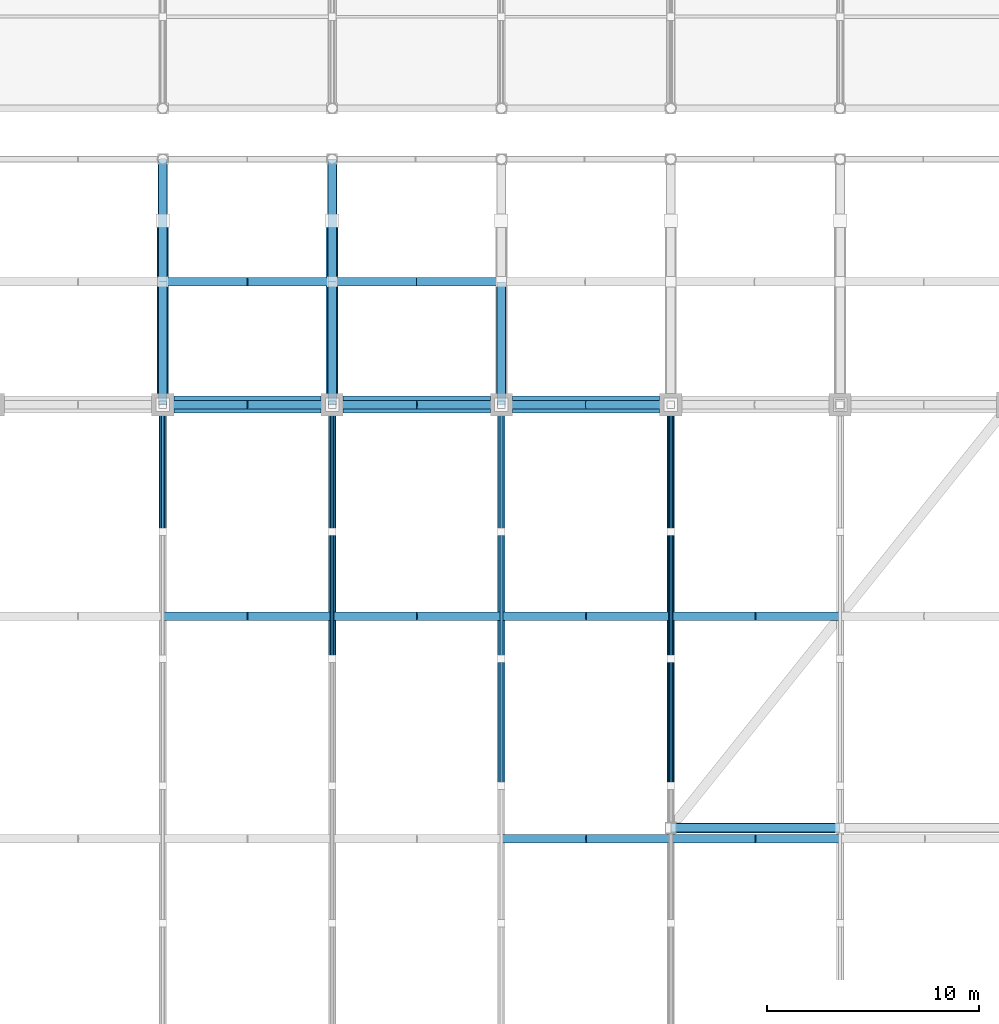
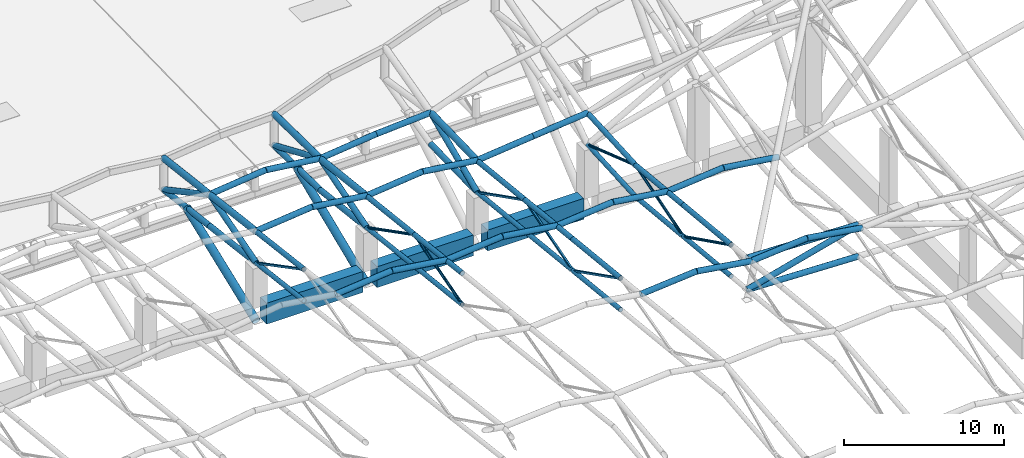
# One storey, part 16 of 75: 69 members, 3 beams.
"""IFC4 building model written with IfcOpenShell, lengths in metres."""

from ifc_helpers import new_model, si_unit, direction, frame, origin, origin_2d, place, context, subcontext, project, spatial, rectangle, hollow_rectangle, hollow_circle, extrude, material, material_profile, profile_set, type_object, element, save


model = new_model("IFC4")

# Units and contexts
model_context = context("Model", 3, precision=1e-05, world=origin(), true_north=direction((0.0, 1.0)))
body_context = subcontext(model_context, "Body", "Model", "MODEL_VIEW")
ifc_project = project(units=[si_unit("LENGTHUNIT", "METRE"), si_unit("AREAUNIT", "SQUARE_METRE"), si_unit("VOLUMEUNIT", "CUBIC_METRE"), si_unit("PLANEANGLEUNIT", "RADIAN"), si_unit("MASSUNIT", "GRAM", prefix="KILO")], contexts=[model_context])

# Site, building, storey
site_placement = place(None, origin())
site = spatial("IfcSite", under=ifc_project, at=site_placement, CompositionType="ELEMENT")
building_placement = place(site_placement, origin())
building = spatial("IfcBuilding", under=site, at=building_placement, Name="Khorjan Park Terminus", CompositionType="ELEMENT")
storey_placement = place(building_placement, frame((0.0, 0.0, 16.2)))
storey = spatial("IfcBuildingStorey", under=building, at=storey_placement, Name="L03", CompositionType="ELEMENT", Elevation=16.2)

# Members
ifc_material_1 = material(Name="Steel S355", Category="steel")
ifc_material_profile_1 = material_profile(ifc_material_1, hollow_circle(Radius=0.0969, WallThickness=0.01, at=origin_2d()), Name="CHS 193.7x10")
ifc_profile_set_1 = profile_set([ifc_material_profile_1], Name="Steel S355")
member_type_1 = type_object("IfcMemberType", Name="MB-BR-194", PredefinedType="BRACE", material=ifc_profile_set_1)
member_1_placement = place(storey_placement, frame((104.0, 76.0, 4.3212), z_axis=(0.0, 0.961569896016, 0.274560257642), x_axis=(-1.0, 0.0, 0.0)))
element("IfcMember", 1, at=member_1_placement, inside=storey, type_object=member_type_1, Name="Upper shell fold space-truss web diagonal (8)", PredefinedType="BRACE", context=body_context, shape_type="SweptSolid", body=[
    extrude(hollow_circle(Radius=0.0969, WallThickness=0.01, at=origin_2d()), origin(), (0.0, 0.0, 1.0), 6.2398),
])
member_2_placement = place(storey_placement, frame((104.0, 82.0, 6.0344), z_axis=(0.0, 0.889228378973, -0.457463539563), x_axis=(-1.0, 0.0, 0.0)))
element("IfcMember", 2, at=member_2_placement, inside=storey, type_object=member_type_1, Name="Upper shell fold space-truss web diagonal (8)", PredefinedType="BRACE", context=body_context, shape_type="SweptSolid", body=[
    extrude(hollow_circle(Radius=0.0969, WallThickness=0.01, at=origin_2d()), origin(), (0.0, 0.0, 1.0), 6.7474),
])
member_3_placement = place(storey_placement, frame((120.0, 70.0, 6.9224), z_axis=(0.0, 0.895124297915, -0.445816656577), x_axis=(-1.0, 0.0, 0.0)))
element("IfcMember", 3, at=member_3_placement, inside=storey, type_object=member_type_1, Name="Upper shell fold space-truss web diagonal (10)", PredefinedType="BRACE", context=body_context, shape_type="SweptSolid", body=[
    extrude(hollow_circle(Radius=0.0969, WallThickness=0.01, at=origin_2d()), origin(), (0.0, 0.0, 1.0), 6.703),
])
member_4_placement = place(storey_placement, frame((120.0, 76.0, 3.9341), z_axis=(0.0, 0.957315382984, 0.289045424636), x_axis=(-1.0, 0.0, 0.0)))
element("IfcMember", 4, at=member_4_placement, inside=storey, type_object=member_type_1, Name="Upper shell fold space-truss web diagonal (10)", PredefinedType="BRACE", context=body_context, shape_type="SweptSolid", body=[
    extrude(hollow_circle(Radius=0.0969, WallThickness=0.01, at=origin_2d()), origin(), (0.0, 0.0, 1.0), 6.2675),
])
member_5_placement = place(storey_placement, frame((120.0, 82.0, 5.7457), z_axis=(0.0, 0.946295848033, -0.32330197648), x_axis=(-1.0, 0.0, 0.0)))
element("IfcMember", 5, at=member_5_placement, inside=storey, type_object=member_type_1, Name="Upper shell fold space-truss web diagonal (10)", PredefinedType="BRACE", context=body_context, shape_type="SweptSolid", body=[
    extrude(hollow_circle(Radius=0.0969, WallThickness=0.01, at=origin_2d()), origin(), (0.0, 0.0, 1.0), 6.3405),
])
ifc_material_profile_2 = material_profile(ifc_material_1, hollow_rectangle(XDim=0.15, YDim=0.15, WallThickness=0.01, InnerFilletRadius=0.01, OuterFilletRadius=0.02, at=origin_2d()), Name="SHS 150x150x10")
ifc_profile_set_2 = profile_set([ifc_material_profile_2], Name="Steel S355")
member_type_2 = type_object("IfcMemberType", Name="MB-BR-SHS150", PredefinedType="BRACE", material=ifc_profile_set_2)
member_6_placement = place(storey_placement, frame((96.0, 82.0, 6.1788), z_axis=(0.0, 0.88625355796, -0.463200422068), x_axis=(-1.0, 0.0, 0.0)))
element("IfcMember", 6, at=member_6_placement, inside=storey, type_object=member_type_2, Name="Upper shell fold space-truss web diagonal (7)", PredefinedType="BRACE", context=body_context, shape_type="SweptSolid", body=[
    extrude(hollow_rectangle(XDim=0.15, YDim=0.15, WallThickness=0.01, InnerFilletRadius=0.01, OuterFilletRadius=0.02, at=origin_2d()), origin(), (0.0, 0.0, 1.0), 6.7701),
])
member_7_placement = place(storey_placement, frame((112.0, 70.0, 7.1652), z_axis=(0.0, 0.892179610411, -0.451680797431), x_axis=(-1.0, 0.0, 0.0)))
element("IfcMember", 7, at=member_7_placement, inside=storey, type_object=member_type_2, Name="Upper shell fold space-truss web diagonal (9)", PredefinedType="BRACE", context=body_context, shape_type="SweptSolid", body=[
    extrude(hollow_rectangle(XDim=0.15, YDim=0.15, WallThickness=0.01, InnerFilletRadius=0.01, OuterFilletRadius=0.02, at=origin_2d()), origin(), (0.0, 0.0, 1.0), 6.7251),
])
member_8_placement = place(storey_placement, frame((112.0, 76.0, 4.1276), z_axis=(0.0, 0.95946093439, 0.281841649477), x_axis=(-1.0, 0.0, 0.0)))
element("IfcMember", 8, at=member_8_placement, inside=storey, type_object=member_type_2, Name="Upper shell fold space-truss web diagonal (9)", PredefinedType="BRACE", context=body_context, shape_type="SweptSolid", body=[
    extrude(hollow_rectangle(XDim=0.15, YDim=0.15, WallThickness=0.01, InnerFilletRadius=0.01, OuterFilletRadius=0.02, at=origin_2d()), origin(), (0.0, 0.0, 1.0), 6.2535),
])
member_9_placement = place(storey_placement, frame((112.0, 82.0, 5.8901), z_axis=(0.0, 0.892185602554, -0.451668961293), x_axis=(-1.0, 0.0, 0.0)))
element("IfcMember", 9, at=member_9_placement, inside=storey, type_object=member_type_2, Name="Upper shell fold space-truss web diagonal (9)", PredefinedType="BRACE", context=body_context, shape_type="SweptSolid", body=[
    extrude(hollow_rectangle(XDim=0.15, YDim=0.15, WallThickness=0.01, InnerFilletRadius=0.01, OuterFilletRadius=0.02, at=origin_2d()), origin(), (0.0, 0.0, 1.0), 6.7251),
])
ifc_material_profile_3 = material_profile(ifc_material_1, hollow_circle(Radius=0.162, WallThickness=0.0125, at=origin_2d()), Name="CHS 323.9x12.5")
ifc_profile_set_3 = profile_set([ifc_material_profile_3], Name="Steel S355")
member_type_3 = type_object("IfcMemberType", Name="MB-CH-324", PredefinedType="CHORD", material=ifc_profile_set_3)
member_10_placement = place(storey_placement, frame((96.0, 82.0, 3.7788), z_axis=(0.0, 0.992562298474, -0.121737765908), x_axis=(-1.0, 0.0, 0.0)))
element("IfcMember", 10, at=member_10_placement, inside=storey, type_object=member_type_3, Name="Upper shell fold space-truss bottom chord (7)", PredefinedType="CHORD", context=body_context, shape_type="SweptSolid", body=[
    extrude(hollow_circle(Radius=0.162, WallThickness=0.0125, at=origin_2d()), origin(), (0.0, 0.0, 1.0), 6.045),
])
for number, where, z_axis, x_axis, name in (
    (11, (104.0, 76.0, 4.3212), (0.0, 0.993512375599, -0.113724049927), (-1.0, 0.0, 0.0), "Upper shell fold space-truss bottom chord (8)"),
    (12, (104.0, 82.0, 3.6344), (0.0, 0.993514246355, -0.113707705495), (-1.0, 0.0, 0.0), "Upper shell fold space-truss bottom chord (8)"),
):
    element("IfcMember", number, at=place(storey_placement, frame(where, z_axis=z_axis, x_axis=x_axis)), inside=storey, type_object=member_type_3, Name=name, PredefinedType="CHORD", context=body_context, shape_type="SweptSolid", body=[
        extrude(hollow_circle(Radius=0.162, WallThickness=0.0125, at=origin_2d()), origin(), (0.0, 0.0, 1.0), 6.0392),
    ])
for number, where, z_axis, x_axis, name in (
    (13, (112.0, 70.0, 4.7652), (0.0, 0.994401073252, -0.105671687384), (-1.0, 0.0, 0.0), "Upper shell fold space-truss bottom chord (9)"),
    (14, (112.0, 76.0, 4.1276), (0.0, 0.994402814649, -0.105655299056), (-1.0, 0.0, 0.0), "Upper shell fold space-truss bottom chord (9)"),
    (15, (112.0, 82.0, 3.4901), (0.0, 0.994402814649, -0.105655299056), (-1.0, 0.0, 0.0), "Upper shell fold space-truss bottom chord (9)"),
):
    element("IfcMember", number, at=place(storey_placement, frame(where, z_axis=z_axis, x_axis=x_axis)), inside=storey, type_object=member_type_3, Name=name, PredefinedType="CHORD", context=body_context, shape_type="SweptSolid", body=[
        extrude(hollow_circle(Radius=0.162, WallThickness=0.0125, at=origin_2d()), origin(), (0.0, 0.0, 1.0), 6.0338),
    ])
for number, where, z_axis, x_axis, name in (
    (16, (120.0, 70.0, 4.5224), (0.0, 0.995227482841, -0.097582054693), (-1.0, 0.0, 0.0), "Upper shell fold space-truss bottom chord (10)"),
    (17, (120.0, 76.0, 3.9341), (0.0, 0.995225871827, -0.097598483831), (-1.0, 0.0, 0.0), "Upper shell fold space-truss bottom chord (10)"),
):
    element("IfcMember", number, at=place(storey_placement, frame(where, z_axis=z_axis, x_axis=x_axis)), inside=storey, type_object=member_type_3, Name=name, PredefinedType="CHORD", context=body_context, shape_type="SweptSolid", body=[
        extrude(hollow_circle(Radius=0.162, WallThickness=0.0125, at=origin_2d()), origin(), (0.0, 0.0, 1.0), 6.0288),
    ])
member_11_placement = place(storey_placement, frame((120.0, 82.0, 3.3457), z_axis=(0.0, 0.998301973504, 0.058250920154), x_axis=(-1.0, 0.0, 0.0)))
element("IfcMember", 18, at=member_11_placement, inside=storey, type_object=member_type_3, Name="Upper shell fold space-truss bottom chord (10)", PredefinedType="CHORD", context=body_context, shape_type="SweptSolid", body=[
    extrude(hollow_circle(Radius=0.162, WallThickness=0.0125, at=origin_2d()), origin(), (0.0, 0.0, 1.0), 6.0102),
])
ifc_material_profile_4 = material_profile(ifc_material_1, hollow_circle(Radius=0.1778, WallThickness=0.016, at=origin_2d()), Name="CHS 355.6x16")
ifc_profile_set_4 = profile_set([ifc_material_profile_4], Name="Steel S355")
member_type_4 = type_object("IfcMemberType", Name="MB-CH-356", PredefinedType="CHORD", material=ifc_profile_set_4)
member_12_placement = place(storey_placement, frame((96.0, 82.0, 6.1788), z_axis=(0.0, 0.992562298474, -0.121737765908), x_axis=(-1.0, 0.0, 0.0)))
element("IfcMember", 19, at=member_12_placement, inside=storey, type_object=member_type_4, Name="Upper shell fold space-truss top chord (7)", PredefinedType="CHORD", context=body_context, shape_type="SweptSolid", body=[
    extrude(hollow_circle(Radius=0.1778, WallThickness=0.016, at=origin_2d()), origin(), (0.0, 0.0, 1.0), 6.045),
])
for number, where, z_axis, x_axis, name in (
    (20, (104.0, 76.0, 6.7212), (0.0, 0.993512375599, -0.113724049927), (-1.0, 0.0, 0.0), "Upper shell fold space-truss top chord (8)"),
    (21, (104.0, 82.0, 6.0344), (0.0, 0.993514246355, -0.113707705495), (-1.0, 0.0, 0.0), "Upper shell fold space-truss top chord (8)"),
):
    element("IfcMember", number, at=place(storey_placement, frame(where, z_axis=z_axis, x_axis=x_axis)), inside=storey, type_object=member_type_4, Name=name, PredefinedType="CHORD", context=body_context, shape_type="SweptSolid", body=[
        extrude(hollow_circle(Radius=0.1778, WallThickness=0.016, at=origin_2d()), origin(), (0.0, 0.0, 1.0), 6.0392),
    ])
for number, where, z_axis, x_axis, name in (
    (22, (112.0, 70.0, 7.1652), (0.0, 0.994401073252, -0.105671687384), (-1.0, 0.0, 0.0), "Upper shell fold space-truss top chord (9)"),
    (23, (112.0, 76.0, 6.5276), (0.0, 0.994402814649, -0.105655299056), (-1.0, 0.0, 0.0), "Upper shell fold space-truss top chord (9)"),
    (24, (112.0, 82.0, 5.8901), (0.0, 0.994402814649, -0.105655299056), (-1.0, 0.0, 0.0), "Upper shell fold space-truss top chord (9)"),
):
    element("IfcMember", number, at=place(storey_placement, frame(where, z_axis=z_axis, x_axis=x_axis)), inside=storey, type_object=member_type_4, Name=name, PredefinedType="CHORD", context=body_context, shape_type="SweptSolid", body=[
        extrude(hollow_circle(Radius=0.1778, WallThickness=0.016, at=origin_2d()), origin(), (0.0, 0.0, 1.0), 6.0338),
    ])
for number, where, z_axis, x_axis, name in (
    (25, (120.0, 70.0, 6.9224), (0.0, 0.995227482841, -0.097582054693), (-1.0, 0.0, 0.0), "Upper shell fold space-truss top chord (10)"),
    (26, (120.0, 76.0, 6.3341), (0.0, 0.995225871827, -0.097598483831), (-1.0, 0.0, 0.0), "Upper shell fold space-truss top chord (10)"),
):
    element("IfcMember", number, at=place(storey_placement, frame(where, z_axis=z_axis, x_axis=x_axis)), inside=storey, type_object=member_type_4, Name=name, PredefinedType="CHORD", context=body_context, shape_type="SweptSolid", body=[
        extrude(hollow_circle(Radius=0.1778, WallThickness=0.016, at=origin_2d()), origin(), (0.0, 0.0, 1.0), 6.0288),
    ])
member_13_placement = place(storey_placement, frame((120.0, 82.0, 5.7457), z_axis=(0.0, 0.998301973504, 0.058250920154), x_axis=(-1.0, 0.0, 0.0)))
element("IfcMember", 27, at=member_13_placement, inside=storey, type_object=member_type_4, Name="Upper shell fold space-truss top chord (10)", PredefinedType="CHORD", context=body_context, shape_type="SweptSolid", body=[
    extrude(hollow_circle(Radius=0.1778, WallThickness=0.016, at=origin_2d()), origin(), (0.0, 0.0, 1.0), 6.0102),
])
ifc_material_profile_5 = material_profile(ifc_material_1, hollow_circle(Radius=0.2032, WallThickness=0.016, at=origin_2d()), Name="CHS 406.4x16")
ifc_profile_set_5 = profile_set([ifc_material_profile_5], Name="Steel S355")
member_type_5 = type_object("IfcMemberType", Name="MB-CH-406", PredefinedType="CHORD", material=ifc_profile_set_5)
member_14_placement = place(storey_placement, frame((112.0, 67.5, 7.4708), z_axis=(0.996294693349, 0.0, 0.086005139403), x_axis=(0.0, 1.0, 0.0)))
element("IfcMember", 28, at=member_14_placement, inside=storey, type_object=member_type_5, Name="Upper shell fold rib chord (185)", PredefinedType="CHORD", context=body_context, shape_type="SweptSolid", body=[
    extrude(hollow_circle(Radius=0.2032, WallThickness=0.016, at=origin_2d()), origin(), (0.0, 0.0, 1.0), 4.0149),
])
member_15_placement = place(storey_placement, frame((116.0, 67.5, 7.8161), z_axis=(0.988622353186, 0.0, -0.150418891037), x_axis=(0.0, 1.0, 0.0)))
element("IfcMember", 29, at=member_15_placement, inside=storey, type_object=member_type_5, Name="Upper shell fold rib chord (186)", PredefinedType="CHORD", context=body_context, shape_type="SweptSolid", body=[
    extrude(hollow_circle(Radius=0.2032, WallThickness=0.016, at=origin_2d()), origin(), (0.0, 0.0, 1.0), 4.046),
])
member_16_placement = place(storey_placement, frame((120.0, 67.5, 7.2075), z_axis=(0.996292558823, 0.0, 0.086029862454), x_axis=(0.0, 1.0, 0.0)))
element("IfcMember", 30, at=member_16_placement, inside=storey, type_object=member_type_5, Name="Upper shell fold rib chord (187)", PredefinedType="CHORD", context=body_context, shape_type="SweptSolid", body=[
    extrude(hollow_circle(Radius=0.2032, WallThickness=0.016, at=origin_2d()), origin(), (0.0, 0.0, 1.0), 4.0149),
])
member_17_placement = place(storey_placement, frame((124.0, 67.5, 7.5529), z_axis=(0.988618677516, 0.0, -0.150443047251), x_axis=(0.0, 1.0, 0.0)))
element("IfcMember", 31, at=member_17_placement, inside=storey, type_object=member_type_5, Name="Upper shell fold rib chord (188)", PredefinedType="CHORD", context=body_context, shape_type="SweptSolid", body=[
    extrude(hollow_circle(Radius=0.2032, WallThickness=0.016, at=origin_2d()), origin(), (0.0, 0.0, 1.0), 4.046),
])
member_18_placement = place(storey_placement, frame((96.0, 78.0, 6.7094), z_axis=(0.995316476949, 0.0, 0.096670112824), x_axis=(0.0, 1.0, 0.0)))
element("IfcMember", 32, at=member_18_placement, inside=storey, type_object=member_type_5, Name="Upper shell fold rib chord (207)", PredefinedType="CHORD", context=body_context, shape_type="SweptSolid", body=[
    extrude(hollow_circle(Radius=0.2032, WallThickness=0.016, at=origin_2d()), origin(), (0.0, 0.0, 1.0), 4.0188),
])
member_19_placement = place(storey_placement, frame((100.0, 78.0, 7.0979), z_axis=(0.990150474603, 0.0, -0.140007277109), x_axis=(0.0, 1.0, 0.0)))
element("IfcMember", 33, at=member_19_placement, inside=storey, type_object=member_type_5, Name="Upper shell fold rib chord (208)", PredefinedType="CHORD", context=body_context, shape_type="SweptSolid", body=[
    extrude(hollow_circle(Radius=0.2032, WallThickness=0.016, at=origin_2d()), origin(), (0.0, 0.0, 1.0), 4.0398),
])
member_20_placement = place(storey_placement, frame((104.0, 78.0, 6.5323), z_axis=(0.995318870818, 0.0, 0.096645462356), x_axis=(0.0, 1.0, 0.0)))
element("IfcMember", 34, at=member_20_placement, inside=storey, type_object=member_type_5, Name="Upper shell fold rib chord (209)", PredefinedType="CHORD", context=body_context, shape_type="SweptSolid", body=[
    extrude(hollow_circle(Radius=0.2032, WallThickness=0.016, at=origin_2d()), origin(), (0.0, 0.0, 1.0), 4.0188),
])
member_21_placement = place(storey_placement, frame((108.0, 78.0, 6.9207), z_axis=(0.990150474603, 0.0, -0.140007277109), x_axis=(0.0, 1.0, 0.0)))
element("IfcMember", 35, at=member_21_placement, inside=storey, type_object=member_type_5, Name="Upper shell fold rib chord (210)", PredefinedType="CHORD", context=body_context, shape_type="SweptSolid", body=[
    extrude(hollow_circle(Radius=0.2032, WallThickness=0.016, at=origin_2d()), origin(), (0.0, 0.0, 1.0), 4.0398),
])
member_22_placement = place(storey_placement, frame((112.0, 78.0, 6.3551), z_axis=(0.995318870818, 0.0, 0.096645462356), x_axis=(0.0, 1.0, 0.0)))
element("IfcMember", 36, at=member_22_placement, inside=storey, type_object=member_type_5, Name="Upper shell fold rib chord (211)", PredefinedType="CHORD", context=body_context, shape_type="SweptSolid", body=[
    extrude(hollow_circle(Radius=0.2032, WallThickness=0.016, at=origin_2d()), origin(), (0.0, 0.0, 1.0), 4.0188),
])
member_23_placement = place(storey_placement, frame((116.0, 78.0, 6.7435), z_axis=(0.990150474603, 0.0, -0.140007277109), x_axis=(0.0, 1.0, 0.0)))
element("IfcMember", 37, at=member_23_placement, inside=storey, type_object=member_type_5, Name="Upper shell fold rib chord (212)", PredefinedType="CHORD", context=body_context, shape_type="SweptSolid", body=[
    extrude(hollow_circle(Radius=0.2032, WallThickness=0.016, at=origin_2d()), origin(), (0.0, 0.0, 1.0), 4.0398),
])
member_24_placement = place(storey_placement, frame((120.0, 78.0, 6.1779), z_axis=(0.995316476949, 0.0, 0.096670112824), x_axis=(0.0, 1.0, 0.0)))
element("IfcMember", 38, at=member_24_placement, inside=storey, type_object=member_type_5, Name="Upper shell fold rib chord (213)", PredefinedType="CHORD", context=body_context, shape_type="SweptSolid", body=[
    extrude(hollow_circle(Radius=0.2032, WallThickness=0.016, at=origin_2d()), origin(), (0.0, 0.0, 1.0), 4.0188),
])
member_25_placement = place(storey_placement, frame((124.0, 78.0, 6.5664), z_axis=(0.990150474603, 0.0, -0.140007277109), x_axis=(0.0, 1.0, 0.0)))
element("IfcMember", 39, at=member_25_placement, inside=storey, type_object=member_type_5, Name="Upper shell fold rib chord (214)", PredefinedType="CHORD", context=body_context, shape_type="SweptSolid", body=[
    extrude(hollow_circle(Radius=0.2032, WallThickness=0.016, at=origin_2d()), origin(), (0.0, 0.0, 1.0), 4.0398),
])
member_26_placement = place(storey_placement, frame((120.0, 68.0, 4.7185), z_axis=(0.999475532887, 0.0, -0.032383007266), x_axis=(0.0, 1.0, 0.0)))
element("IfcMember", 40, at=member_26_placement, inside=storey, type_object=member_type_5, Name="Upper shell longitudinal truss bottom chord (E3)", PredefinedType="CHORD", context=body_context, shape_type="SweptSolid", body=[
    extrude(hollow_circle(Radius=0.2032, WallThickness=0.016, at=origin_2d()), origin(), (0.0, 0.0, 1.0), 8.0042),
])
ifc_material_profile_6 = material_profile(ifc_material_1, hollow_circle(Radius=0.2285, WallThickness=0.016, at=origin_2d()), Name="CHS 457x16")
ifc_profile_set_6 = profile_set([ifc_material_profile_6], Name="Steel S355")
member_type_6 = type_object("IfcMemberType", Name="MB-CH-457", PredefinedType="CHORD", material=ifc_profile_set_6)
member_27_placement = place(storey_placement, frame((120.0, 68.0, 7.1185), z_axis=(0.999475532887, 0.0, -0.032383007266), x_axis=(0.0, 1.0, 0.0)))
element("IfcMember", 41, at=member_27_placement, inside=storey, type_object=member_type_6, Name="Upper shell longitudinal truss top chord (E3)", PredefinedType="CHORD", context=body_context, shape_type="SweptSolid", body=[
    extrude(hollow_circle(Radius=0.2285, WallThickness=0.016, at=origin_2d()), origin(), (0.0, 0.0, 1.0), 8.0042),
])
ifc_material_profile_7 = material_profile(ifc_material_1, hollow_circle(Radius=0.2032, WallThickness=0.016, at=origin_2d()), Name="CHS 406.4x16")
ifc_profile_set_7 = profile_set([ifc_material_profile_7], Name="Steel S355")
member_type_7 = type_object("IfcMemberType", Name="MB-CHE-406", PredefinedType="CHORD", material=ifc_profile_set_7)
member_28_placement = place(storey_placement, frame((96.0, 88.0, 5.4829), z_axis=(0.994287316425, 0.0, 0.106736743418), x_axis=(0.0, 1.0, 0.0)))
element("IfcMember", 42, at=member_28_placement, inside=storey, type_object=member_type_7, Name="Upper shell fold rib chord (231)", PredefinedType="CHORD", context=body_context, shape_type="SweptSolid", body=[
    extrude(hollow_circle(Radius=0.2032, WallThickness=0.016, at=origin_2d()), origin(), (0.0, 0.0, 1.0), 4.023),
])
member_29_placement = place(storey_placement, frame((100.0, 88.0, 5.9123), z_axis=(0.991509216249, 0.0, -0.130036433711), x_axis=(0.0, 1.0, 0.0)))
element("IfcMember", 43, at=member_29_placement, inside=storey, type_object=member_type_7, Name="Upper shell fold rib chord (232)", PredefinedType="CHORD", context=body_context, shape_type="SweptSolid", body=[
    extrude(hollow_circle(Radius=0.2032, WallThickness=0.016, at=origin_2d()), origin(), (0.0, 0.0, 1.0), 4.0343),
])
member_30_placement = place(storey_placement, frame((104.0, 88.0, 5.3877), z_axis=(0.994287316425, 0.0, 0.106736743418), x_axis=(0.0, 1.0, 0.0)))
element("IfcMember", 44, at=member_30_placement, inside=storey, type_object=member_type_7, Name="Upper shell fold rib chord (233)", PredefinedType="CHORD", context=body_context, shape_type="SweptSolid", body=[
    extrude(hollow_circle(Radius=0.2032, WallThickness=0.016, at=origin_2d()), origin(), (0.0, 0.0, 1.0), 4.023),
])
member_31_placement = place(storey_placement, frame((108.0, 88.0, 5.8171), z_axis=(0.9915124119, 0.0, -0.13001206501), x_axis=(0.0, 1.0, 0.0)))
element("IfcMember", 45, at=member_31_placement, inside=storey, type_object=member_type_7, Name="Upper shell fold rib chord (234)", PredefinedType="CHORD", context=body_context, shape_type="SweptSolid", body=[
    extrude(hollow_circle(Radius=0.2032, WallThickness=0.016, at=origin_2d()), origin(), (0.0, 0.0, 1.0), 4.0342),
])
member_32_placement = place(storey_placement, frame((112.0, 88.0, 5.2926), z_axis=(0.994287316425, 0.0, 0.106736743418), x_axis=(0.0, 1.0, 0.0)))
element("IfcMember", 46, at=member_32_placement, inside=storey, type_object=member_type_7, Name="Upper shell fold rib chord (235)", PredefinedType="CHORD", context=body_context, shape_type="SweptSolid", body=[
    extrude(hollow_circle(Radius=0.2032, WallThickness=0.016, at=origin_2d()), origin(), (0.0, 0.0, 1.0), 4.023),
])
member_33_placement = place(storey_placement, frame((116.0, 88.0, 5.722), z_axis=(0.994691618291, 0.0, 0.102900847912), x_axis=(0.0, 1.0, 0.0)))
element("IfcMember", 47, at=member_33_placement, inside=storey, type_object=member_type_7, Name="Upper shell fold rib chord (236)", PredefinedType="CHORD", context=body_context, shape_type="SweptSolid", body=[
    extrude(hollow_circle(Radius=0.2032, WallThickness=0.016, at=origin_2d()), origin(), (0.0, 0.0, 1.0), 4.0213),
])
member_34_placement = place(storey_placement, frame((96.0, 93.8, 4.7714), z_axis=(0.993642695952, 0.0, 0.112579717451), x_axis=(0.0, 1.0, 0.0)))
element("IfcMember", 48, at=member_34_placement, inside=storey, type_object=member_type_7, Name="Upper shell fold rib chord (255)", PredefinedType="CHORD", context=body_context, shape_type="SweptSolid", body=[
    extrude(hollow_circle(Radius=0.2032, WallThickness=0.016, at=origin_2d()), origin(), (0.0, 0.0, 1.0), 4.0256),
])
member_35_placement = place(storey_placement, frame((100.0, 93.8, 5.2246), z_axis=(0.992256490306, 0.0, -0.124205706174), x_axis=(0.0, 1.0, 0.0)))
element("IfcMember", 49, at=member_35_placement, inside=storey, type_object=member_type_7, Name="Upper shell fold rib chord (256)", PredefinedType="CHORD", context=body_context, shape_type="SweptSolid", body=[
    extrude(hollow_circle(Radius=0.2032, WallThickness=0.016, at=origin_2d()), origin(), (0.0, 0.0, 1.0), 4.0312),
])
member_36_placement = place(storey_placement, frame((104.0, 93.8, 4.7239), z_axis=(0.993642695952, 0.0, 0.112579717451), x_axis=(0.0, 1.0, 0.0)))
element("IfcMember", 50, at=member_36_placement, inside=storey, type_object=member_type_7, Name="Upper shell fold rib chord (257)", PredefinedType="CHORD", context=body_context, shape_type="SweptSolid", body=[
    extrude(hollow_circle(Radius=0.2032, WallThickness=0.016, at=origin_2d()), origin(), (0.0, 0.0, 1.0), 4.0256),
])
member_37_placement = place(storey_placement, frame((108.0, 93.8, 5.1771), z_axis=(0.9978192431, 0.0, 0.066005742931), x_axis=(0.0, 1.0, 0.0)))
element("IfcMember", 51, at=member_37_placement, inside=storey, type_object=member_type_7, Name="Upper shell fold rib chord (258)", PredefinedType="CHORD", context=body_context, shape_type="SweptSolid", body=[
    extrude(hollow_circle(Radius=0.2032, WallThickness=0.016, at=origin_2d()), origin(), (0.0, 0.0, 1.0), 4.0087),
])
for number, where, z_axis, x_axis, name in (
    (52, (96.0, 88.0, 3.0429), (0.0, 0.992559610072, -0.121759683201), (-1.0, 0.0, 0.0), "Upper shell fold space-truss bottom chord (7)"),
    (53, (96.0, 93.8, 2.3314), (0.0, 0.992561678115, -0.121742823761), (-1.0, 0.0, 0.0), "Upper shell fold space-truss bottom chord (7)"),
):
    element("IfcMember", number, at=place(storey_placement, frame(where, z_axis=z_axis, x_axis=x_axis)), inside=storey, type_object=member_type_7, Name=name, PredefinedType="CHORD", context=body_context, shape_type="SweptSolid", body=[
        extrude(hollow_circle(Radius=0.2032, WallThickness=0.016, at=origin_2d()), origin(), (0.0, 0.0, 1.0), 5.8435),
    ])
member_38_placement = place(storey_placement, frame((104.0, 88.0, 2.9477), z_axis=(0.0, 0.993514439867, -0.113706014687), x_axis=(-1.0, 0.0, 0.0)))
element("IfcMember", 54, at=member_38_placement, inside=storey, type_object=member_type_7, Name="Upper shell fold space-truss bottom chord (8)", PredefinedType="CHORD", context=body_context, shape_type="SweptSolid", body=[
    extrude(hollow_circle(Radius=0.2032, WallThickness=0.016, at=origin_2d()), origin(), (0.0, 0.0, 1.0), 5.8379),
])
member_39_placement = place(storey_placement, frame((104.0, 93.8, 2.2839), z_axis=(0.0, 0.999892630256, -0.014653598892), x_axis=(-1.0, 0.0, 0.0)))
element("IfcMember", 55, at=member_39_placement, inside=storey, type_object=member_type_7, Name="Upper shell fold space-truss bottom chord (8)", PredefinedType="CHORD", context=body_context, shape_type="SweptSolid", body=[
    extrude(hollow_circle(Radius=0.2032, WallThickness=0.016, at=origin_2d()), origin(), (0.0, 0.0, 1.0), 5.8006),
])
member_40_placement = place(storey_placement, frame((112.0, 88.0, 2.8526), z_axis=(0.0, 0.999669741413, 0.025698406628), x_axis=(-1.0, 0.0, 0.0)))
element("IfcMember", 56, at=member_40_placement, inside=storey, type_object=member_type_7, Name="Upper shell fold space-truss bottom chord (9)", PredefinedType="CHORD", context=body_context, shape_type="SweptSolid", body=[
    extrude(hollow_circle(Radius=0.2032, WallThickness=0.016, at=origin_2d()), origin(), (0.0, 0.0, 1.0), 5.8019),
])
ifc_material_profile_8 = material_profile(ifc_material_1, hollow_circle(Radius=0.2285, WallThickness=0.016, at=origin_2d()), Name="CHS 457x16")
ifc_profile_set_8 = profile_set([ifc_material_profile_8], Name="Steel S355")
member_type_8 = type_object("IfcMemberType", Name="MB-CHE-457", PredefinedType="CHORD", material=ifc_profile_set_8)
for number, where, z_axis, x_axis, name in (
    (57, (96.0, 88.0, 5.4429), (0.0, 0.992559610072, -0.121759683201), (-1.0, 0.0, 0.0), "Upper shell fold space-truss top chord (7)"),
    (58, (96.0, 93.8, 4.7314), (0.0, 0.992561678115, -0.121742823761), (-1.0, 0.0, 0.0), "Upper shell fold space-truss top chord (7)"),
):
    element("IfcMember", number, at=place(storey_placement, frame(where, z_axis=z_axis, x_axis=x_axis)), inside=storey, type_object=member_type_8, Name=name, PredefinedType="CHORD", context=body_context, shape_type="SweptSolid", body=[
        extrude(hollow_circle(Radius=0.2285, WallThickness=0.016, at=origin_2d()), origin(), (0.0, 0.0, 1.0), 5.8435),
    ])
member_41_placement = place(storey_placement, frame((104.0, 88.0, 5.3477), z_axis=(0.0, 0.993514439867, -0.113706014687), x_axis=(-1.0, 0.0, 0.0)))
element("IfcMember", 59, at=member_41_placement, inside=storey, type_object=member_type_8, Name="Upper shell fold space-truss top chord (8)", PredefinedType="CHORD", context=body_context, shape_type="SweptSolid", body=[
    extrude(hollow_circle(Radius=0.2285, WallThickness=0.016, at=origin_2d()), origin(), (0.0, 0.0, 1.0), 5.8379),
])
member_42_placement = place(storey_placement, frame((104.0, 93.8, 4.6839), z_axis=(0.0, 0.999892630256, -0.014653598892), x_axis=(-1.0, 0.0, 0.0)))
element("IfcMember", 60, at=member_42_placement, inside=storey, type_object=member_type_8, Name="Upper shell fold space-truss top chord (8)", PredefinedType="CHORD", context=body_context, shape_type="SweptSolid", body=[
    extrude(hollow_circle(Radius=0.2285, WallThickness=0.016, at=origin_2d()), origin(), (0.0, 0.0, 1.0), 5.8006),
])
member_43_placement = place(storey_placement, frame((112.0, 88.0, 5.2526), z_axis=(0.0, 0.999669741413, 0.025698406628), x_axis=(-1.0, 0.0, 0.0)))
element("IfcMember", 61, at=member_43_placement, inside=storey, type_object=member_type_8, Name="Upper shell fold space-truss top chord (9)", PredefinedType="CHORD", context=body_context, shape_type="SweptSolid", body=[
    extrude(hollow_circle(Radius=0.2285, WallThickness=0.016, at=origin_2d()), origin(), (0.0, 0.0, 1.0), 5.8019),
])
ifc_material_profile_9 = material_profile(ifc_material_1, hollow_circle(Radius=0.2032, WallThickness=0.016, at=origin_2d()), Name="CHS 406.4x16")
ifc_profile_set_9 = profile_set([ifc_material_profile_9], Name="Steel S355")
member_type_9 = type_object("IfcMemberType", Name="MB-ST-406", PredefinedType="STRUT", material=ifc_profile_set_9)
member_44_placement = place(storey_placement, frame((120.0, 68.0, 4.7185), z_axis=(0.96601010587, 0.0, 0.258504304331), x_axis=(0.0, 1.0, 0.0)))
element("IfcMember", 62, at=member_44_placement, inside=storey, type_object=member_type_9, Name="Upper shell longitudinal truss diagonal (E3)", PredefinedType="STRUT", context=body_context, shape_type="SweptSolid", body=[
    extrude(hollow_circle(Radius=0.2032, WallThickness=0.016, at=origin_2d()), origin(), (0.0, 0.0, 1.0), 8.2815),
])
ifc_material_profile_10 = material_profile(ifc_material_1, hollow_circle(Radius=0.2795, WallThickness=0.02, at=origin_2d()), Name="CHS 559x20")
ifc_profile_set_10 = profile_set([ifc_material_profile_10], Name="Steel S355")
member_type_10 = type_object("IfcMemberType", Name="MB-ST-CHS559", PredefinedType="STRUT", material=ifc_profile_set_10)
member_45_placement = place(storey_placement, frame((96.0, 88.0, -1.4), z_axis=(0.0, 0.932280715022, 0.361735633299), x_axis=(-1.0, 0.0, 0.0)))
element("IfcMember", 63, at=member_45_placement, inside=storey, type_object=member_type_10, Name="Upper shell raked overhang V-strut STE-56 (7N)", PredefinedType="STRUT", context=body_context, shape_type="SweptSolid", body=[
    extrude(hollow_circle(Radius=0.2795, WallThickness=0.02, at=origin_2d()), origin(), (0.0, 0.0, 1.0), 9.332),
])
member_46_placement = place(storey_placement, frame((104.0, 88.0, -1.4), z_axis=(0.0, 0.922458377603, 0.386096544391), x_axis=(-1.0, 0.0, 0.0)))
element("IfcMember", 64, at=member_46_placement, inside=storey, type_object=member_type_10, Name="Upper shell raked overhang V-strut STE-56 (8N)", PredefinedType="STRUT", context=body_context, shape_type="SweptSolid", body=[
    extrude(hollow_circle(Radius=0.2795, WallThickness=0.02, at=origin_2d()), origin(), (0.0, 0.0, 1.0), 9.4313),
])
ifc_material_profile_11 = material_profile(ifc_material_1, hollow_circle(Radius=0.2032, WallThickness=0.016, at=origin_2d()), Name="CHS 406.4x16")
ifc_profile_set_11 = profile_set([ifc_material_profile_11], Name="Steel S355")
member_type_11 = type_object("IfcMemberType", Name="MB-STE-406", PredefinedType="STRUT", material=ifc_profile_set_11)
member_47_placement = place(storey_placement, frame((96.0, 88.0, 3.0429), z_axis=(0.0, 0.960140787374, 0.279516848186), x_axis=(-1.0, 0.0, 0.0)))
element("IfcMember", 65, at=member_47_placement, inside=storey, type_object=member_type_11, Name="Upper shell fold space-truss web diagonal (7)", PredefinedType="STRUT", context=body_context, shape_type="SweptSolid", body=[
    extrude(hollow_circle(Radius=0.2032, WallThickness=0.016, at=origin_2d()), origin(), (0.0, 0.0, 1.0), 6.0408),
])
member_48_placement = place(storey_placement, frame((96.0, 93.8, 4.7314), z_axis=(0.0, 0.881210593902, -0.47272390377), x_axis=(-1.0, 0.0, 0.0)))
element("IfcMember", 66, at=member_48_placement, inside=storey, type_object=member_type_11, Name="Upper shell fold space-truss web diagonal (7)", PredefinedType="STRUT", context=body_context, shape_type="SweptSolid", body=[
    extrude(hollow_circle(Radius=0.2032, WallThickness=0.016, at=origin_2d()), origin(), (0.0, 0.0, 1.0), 6.5819),
])
member_49_placement = place(storey_placement, frame((104.0, 88.0, 2.9477), z_axis=(0.0, 0.957998861056, 0.286772003891), x_axis=(-1.0, 0.0, 0.0)))
element("IfcMember", 67, at=member_49_placement, inside=storey, type_object=member_type_11, Name="Upper shell fold space-truss web diagonal (8)", PredefinedType="STRUT", context=body_context, shape_type="SweptSolid", body=[
    extrude(hollow_circle(Radius=0.2032, WallThickness=0.016, at=origin_2d()), origin(), (0.0, 0.0, 1.0), 6.0543),
])
member_50_placement = place(storey_placement, frame((104.0, 93.8, 4.6839), z_axis=(0.0, 0.919186011339, -0.393823661755), x_axis=(-1.0, 0.0, 0.0)))
element("IfcMember", 68, at=member_50_placement, inside=storey, type_object=member_type_11, Name="Upper shell fold space-truss web diagonal (8)", PredefinedType="STRUT", context=body_context, shape_type="SweptSolid", body=[
    extrude(hollow_circle(Radius=0.2032, WallThickness=0.016, at=origin_2d()), origin(), (0.0, 0.0, 1.0), 6.3099),
])
member_51_placement = place(storey_placement, frame((112.0, 88.0, 2.8526), z_axis=(0.0, 0.9154836907, 0.402355082063), x_axis=(-1.0, 0.0, 0.0)))
element("IfcMember", 69, at=member_51_placement, inside=storey, type_object=member_type_11, Name="Upper shell fold space-truss web diagonal (9)", PredefinedType="STRUT", context=body_context, shape_type="SweptSolid", body=[
    extrude(hollow_circle(Radius=0.2032, WallThickness=0.016, at=origin_2d()), origin(), (0.0, 0.0, 1.0), 6.3354),
])

# Beams
ifc_material_2 = material(Name="Concrete C50/60", Category="concrete")
ifc_material_profile_12 = material_profile(ifc_material_2, rectangle(XDim=0.8, YDim=1.6, at=origin_2d()), Name="RC 800x1600")
ifc_profile_set_12 = profile_set([ifc_material_profile_12], Name="Concrete C50/60")
beam_type = type_object("IfcBeamType", Name="SP-RC800x1600", PredefinedType="SPANDREL", material=ifc_profile_set_12)
for number, where, z_axis, x_axis, name in (
    (70, (96.519, 88.0, -0.8), (1.0, 0.0, 0.0), (0.0, 1.0, 0.0), "Concourse colonnade ring beam SP-16 (14)"),
    (71, (104.519, 88.0, -0.8), (1.0, 0.0, 0.0), (0.0, 1.0, 0.0), "Concourse colonnade ring beam SP-16 (16)"),
    (72, (112.519, 88.0, -0.8), (1.0, 0.0, 0.0), (0.0, 1.0, 0.0), "Concourse colonnade ring beam SP-16 (18)"),
):
    element("IfcBeam", number, at=place(storey_placement, frame(where, z_axis=z_axis, x_axis=x_axis)), inside=storey, type_object=beam_type, Name=name, PredefinedType="SPANDREL", context=body_context, shape_type="SweptSolid", body=[
        extrude(rectangle(XDim=0.8, YDim=1.6, at=origin_2d()), origin(), (0.0, 0.0, 1.0), 6.962),
    ])

save(model, "model.ifc")
